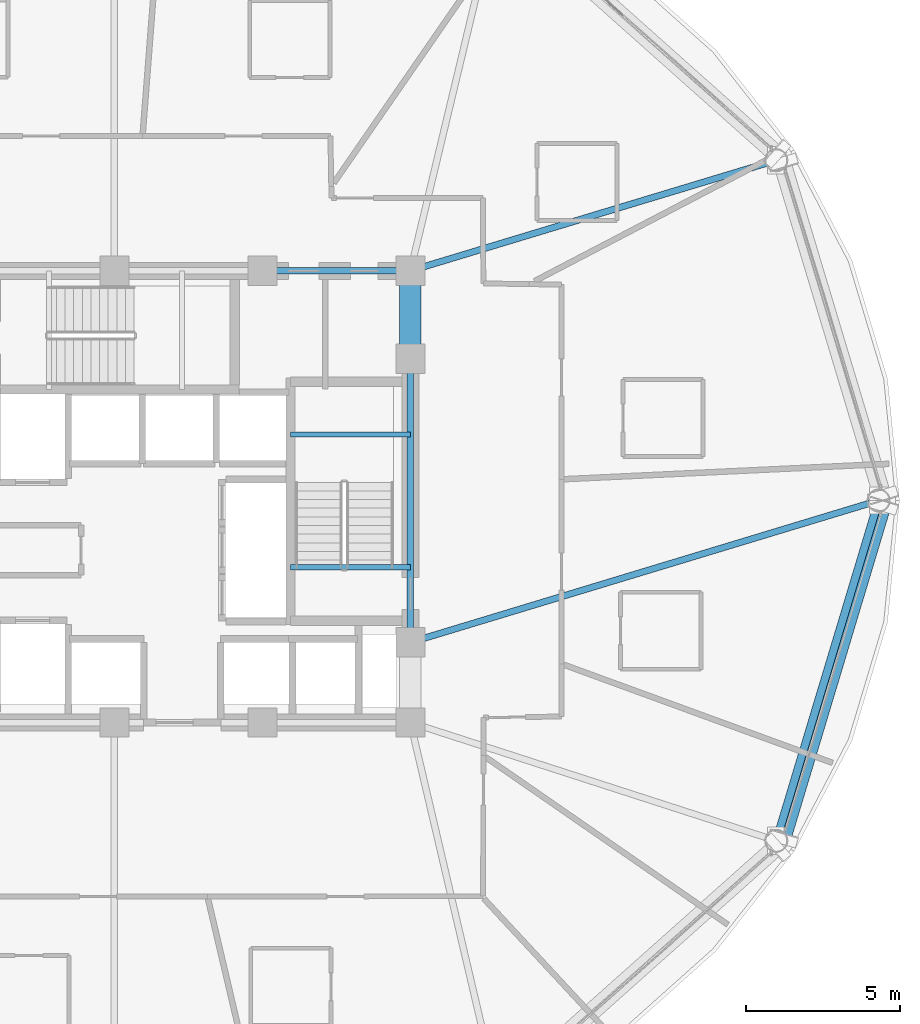
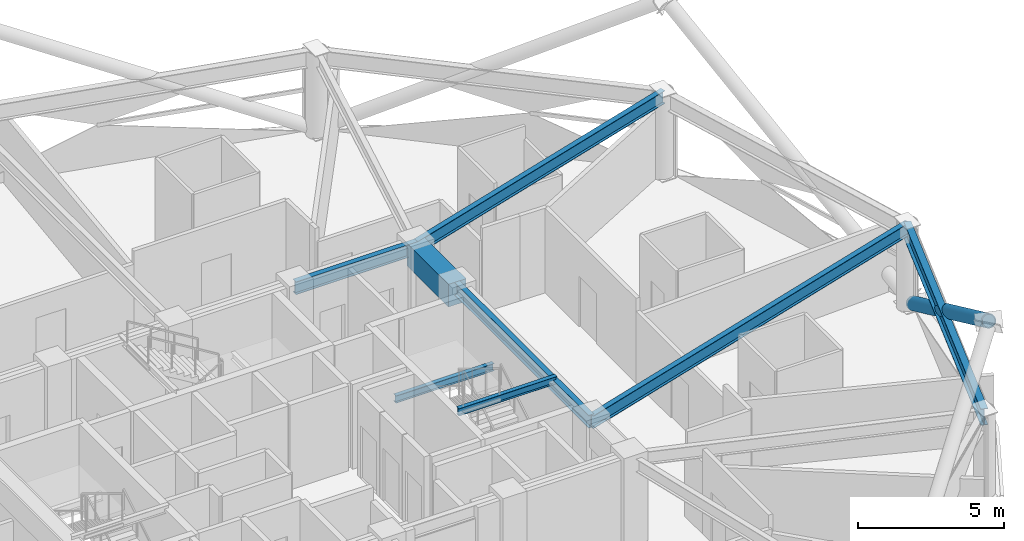
# One storey, part 11 of 29: 8 beams, 1 member.
"""IFC4 building model written with IfcOpenShell, lengths in metres."""

from ifc_helpers import new_model, si_unit, direction, frame, origin, origin_2d, place, context, subcontext, project, spatial, rectangle, hollow_circle, i_section, extrude, material, material_profile, profile_set, type_object, element, save


model = new_model("IFC4")

# Units and contexts
model_context = context("Model", 3, precision=1e-05, world=origin(), true_north=direction((0.0, 1.0)))
body_context = subcontext(model_context, "Body", "Model", "MODEL_VIEW")
ifc_project = project(units=[si_unit("LENGTHUNIT", "METRE"), si_unit("AREAUNIT", "SQUARE_METRE"), si_unit("VOLUMEUNIT", "CUBIC_METRE"), si_unit("PLANEANGLEUNIT", "RADIAN"), si_unit("MASSUNIT", "GRAM", prefix="KILO")], contexts=[model_context])

# Site, building, storey
site_placement = place(None, origin())
site = spatial("IfcSite", under=ifc_project, at=site_placement, CompositionType="ELEMENT")
building_placement = place(site_placement, origin())
building = spatial("IfcBuilding", under=site, at=building_placement, Name="Vantalir Tower", CompositionType="ELEMENT")
storey_placement = place(building_placement, frame((0.0, 0.0, 149.699951171875)))
storey = spatial("IfcBuildingStorey", under=building, at=storey_placement, Name="L37", CompositionType="ELEMENT", Elevation=149.699951171875)

# Beams
ifc_material_1 = material(Name="Concrete C60/75", Category="concrete")
ifc_material_profile_1 = material_profile(ifc_material_1, rectangle(XDim=0.699951171875, YDim=0.949951171875, at=origin_2d()), Name="Concrete C60/75")
ifc_profile_set_1 = profile_set([ifc_material_profile_1], Name="Concrete C60/75")
beam_type_1 = type_object("IfcBeamType", Name="BM-CB-700x950", PredefinedType="USERDEFINED", material=ifc_profile_set_1)
beam_1_placement = place(storey_placement, frame((41.10009765625, 29.60009765625, 3.094970703125), z_axis=(0.0, 1.0, 0.0), x_axis=(-1.0, 0.0, 0.0)))
element("IfcBeam", 1, at=beam_1_placement, inside=storey, type_object=beam_type_1, Name="L37 Core Coupling Girder 07", ObjectType="GIRDER", PredefinedType="USERDEFINED", context=body_context, shape_type="SweptSolid", body=[
    extrude(rectangle(XDim=0.699951171875, YDim=0.949951171875, at=origin_2d()), origin(), (0.0, 0.0, 1.0), 2.849853515625),
])
ifc_material_2 = material(Name="Steel S355", Category="steel")
ifc_material_profile_2 = material_profile(ifc_material_2, i_section(OverallWidth=0.166015625, OverallDepth=0.306884765625, WebThickness=0.006591796875, FlangeThickness=0.01171875, at=origin_2d()), Name="Steel S355")
ifc_profile_set_2 = profile_set([ifc_material_profile_2], Name="Steel S355")
beam_type_2 = type_object("IfcBeamType", Name="BM-JS-305x165", PredefinedType="JOIST", material=ifc_profile_set_2)
for number, where, z_axis, x_axis, name in (
    (2, (37.2099609375, 22.8349609375, 3.595947265625), (1.0, 0.0, 0.0), (0.0, 1.0, 0.0), "L38 Stair ST2 Well Nosing Trimmer Beam"),
    (3, (37.2099609375, 27.14501953125, 1.52197265625), (1.0, 0.0, 0.0), (0.0, 1.0, 0.0), "L37 Stair ST2 Half-Landing Support Beam"),
):
    element("IfcBeam", number, at=place(storey_placement, frame(where, z_axis=z_axis, x_axis=x_axis)), inside=storey, type_object=beam_type_2, Name=name, PredefinedType="JOIST", context=body_context, shape_type="SweptSolid", body=[
        extrude(i_section(OverallWidth=0.166015625, OverallDepth=0.306884765625, WebThickness=0.006591796875, FlangeThickness=0.01171875, at=origin_2d()), origin(), (0.0, 0.0, 1.0), 3.89013671875),
    ])
ifc_material_profile_3 = material_profile(ifc_material_2, i_section(OverallWidth=0.2109375, OverallDepth=0.5390625, WebThickness=0.01171875, FlangeThickness=0.018798828125, at=origin_2d()), Name="Steel S355")
ifc_profile_set_3 = profile_set([ifc_material_profile_3], Name="Steel S355")
beam_type_3 = type_object("IfcBeamType", Name="BM-RB-533x210", PredefinedType="BEAM", material=ifc_profile_set_3)
beam_2_placement = place(storey_placement, frame((41.10009765625, 20.39990234375, 3.301025390625), z_axis=(0.0, 1.0, 0.0), x_axis=(-1.0, 0.0, 0.0)))
element("IfcBeam", 4, at=beam_2_placement, inside=storey, type_object=beam_type_3, Name="L37 Core Coupling Girder 06", PredefinedType="BEAM", context=body_context, shape_type="SweptSolid", body=[
    extrude(i_section(OverallWidth=0.2109375, OverallDepth=0.5390625, WebThickness=0.01171875, FlangeThickness=0.018798828125, at=origin_2d()), origin(), (0.0, 0.0, 1.0), 9.2001953125),
])
beam_3_placement = place(storey_placement, frame((41.10009765625, 32.449951171875, 3.301025390625), z_axis=(-1.0, 0.0, 0.0), x_axis=(0.0, -1.0, 0.0)))
element("IfcBeam", 5, at=beam_3_placement, inside=storey, type_object=beam_type_3, Name="L37 Core Coupling Girder 08", PredefinedType="BEAM", context=body_context, shape_type="SweptSolid", body=[
    extrude(i_section(OverallWidth=0.2109375, OverallDepth=0.5390625, WebThickness=0.01171875, FlangeThickness=0.018798828125, at=origin_2d()), origin(), (0.0, 0.0, 1.0), 4.800048828125),
])
beam_4_placement = place(storey_placement, frame((56.282958984375, 25.0, 3.301025390625), z_axis=(-0.957037864084, -0.289962974723, 0.0), x_axis=(0.289962974723, -0.957037864084, 0.0)))
element("IfcBeam", 6, at=beam_4_placement, inside=storey, type_object=beam_type_3, Name="L37 Radial Floor Beam 01", PredefinedType="BEAM", context=body_context, shape_type="SweptSolid", body=[
    extrude(i_section(OverallWidth=0.2109375, OverallDepth=0.5390625, WebThickness=0.01171875, FlangeThickness=0.018798828125, at=origin_2d()), origin(), (0.0, 0.0, 1.0), 15.864501953125),
])
beam_5_placement = place(storey_placement, frame((52.962890625, 36.033935546875, 3.301025390625), z_axis=(-0.957265983096, -0.289208986043, 0.0), x_axis=(0.289208986043, -0.957265983096, 0.0)))
element("IfcBeam", 7, at=beam_5_placement, inside=storey, type_object=beam_type_3, Name="L37 Radial Floor Beam 02", PredefinedType="BEAM", context=body_context, shape_type="SweptSolid", body=[
    extrude(i_section(OverallWidth=0.2109375, OverallDepth=0.5390625, WebThickness=0.01171875, FlangeThickness=0.018798828125, at=origin_2d()), origin(), (0.0, 0.0, 1.0), 12.392333984375),
])
ifc_material_3 = material(Name="Steel S460", Category="steel")
ifc_material_profile_4 = material_profile(ifc_material_3, i_section(OverallWidth=0.256103515625, OverallDepth=0.693115234375, WebThickness=0.014404296875, FlangeThickness=0.023681640625, at=origin_2d()), Name="Steel S460")
ifc_profile_set_4 = profile_set([ifc_material_profile_4], Name="Steel S460")
beam_type_4 = type_object("IfcBeamType", Name="BM-RG-686x254", PredefinedType="USERDEFINED", material=ifc_profile_set_4)
beam_6_placement = place(storey_placement, frame((52.962890625, 13.965087890625, 3.22412109375), z_axis=(0.288111665009, 0.95759681938, 0.0), x_axis=(-0.95759681938, 0.288111665009, 0.0)))
element("IfcBeam", 8, at=beam_6_placement, inside=storey, type_object=beam_type_4, Name="L37 Circumferential Ring Girder 12", ObjectType="GIRDER", PredefinedType="USERDEFINED", context=body_context, shape_type="SweptSolid", body=[
    extrude(i_section(OverallWidth=0.256103515625, OverallDepth=0.693115234375, WebThickness=0.014404296875, FlangeThickness=0.023681640625, at=origin_2d()), origin(), (0.0, 0.0, 1.0), 11.5234375),
])

# Member
ifc_material_profile_5 = material_profile(ifc_material_3, hollow_circle(Radius=0.260009765625, WallThickness=0.0380859375, at=origin_2d()), Name="Steel S460")
ifc_profile_set_5 = profile_set([ifc_material_profile_5], Name="Steel S460")
member_type = type_object("IfcMemberType", Name="MEM-DB-520x38", PredefinedType="BRACE", material=ifc_profile_set_5)
member_placement = place(storey_placement, frame((56.4189453125, 24.821044921875, 0.195068359375), z_axis=(-0.245091963513, -0.815347026625, 0.524537086958), x_axis=(0.957668431163, -0.287873541601, 0.0)))
element("IfcMember", 9, at=member_placement, inside=storey, type_object=member_type, Name="L37 Perimeter S460 Diagrid Brace R01R", PredefinedType="BRACE", context=body_context, shape_type="SweptSolid", body=[
    extrude(hollow_circle(Radius=0.260009765625, WallThickness=0.0380859375, at=origin_2d()), origin(), (0.0, 0.0, 1.0), 13.21142578125),
])

save(model, "model.ifc")
